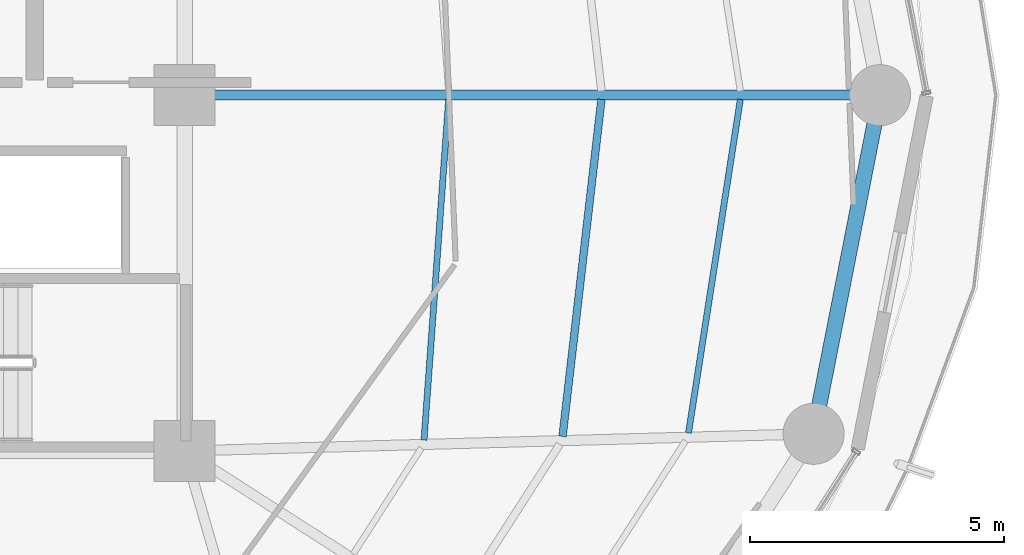
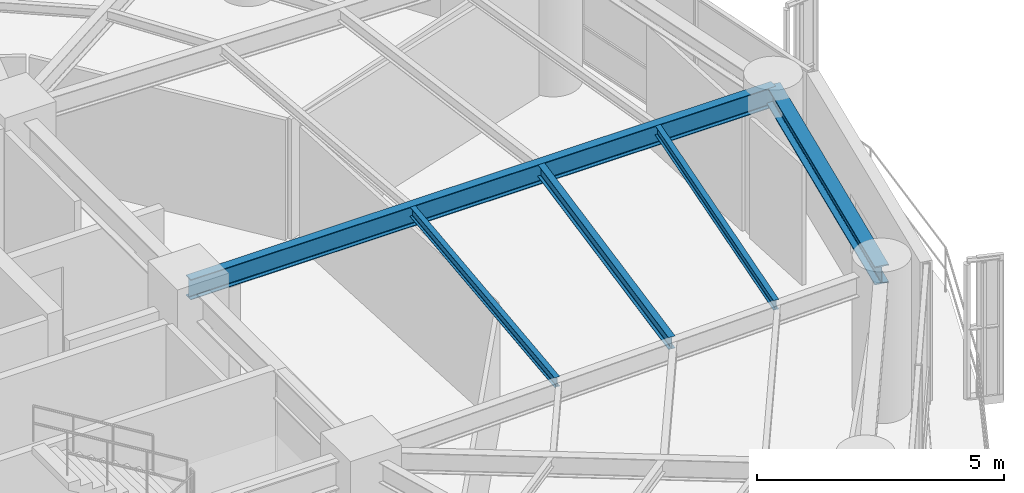
# One storey, part 12 of 28: 5 beams.
"""IFC4 building model written with IfcOpenShell, lengths in metres."""

from ifc_helpers import new_model, si_unit, direction, frame, origin, origin_2d, place, context, subcontext, project, spatial, i_section, extrude, material, material_profile, profile_set, type_object, element, save


model = new_model("IFC4")

# Units and contexts
model_context = context("Model", 3, precision=1e-05, world=origin(), true_north=direction((0.0, 1.0)))
body_context = subcontext(model_context, "Body", "Model", "MODEL_VIEW")
ifc_project = project(units=[si_unit("LENGTHUNIT", "METRE"), si_unit("AREAUNIT", "SQUARE_METRE"), si_unit("VOLUMEUNIT", "CUBIC_METRE"), si_unit("PLANEANGLEUNIT", "RADIAN"), si_unit("MASSUNIT", "GRAM", prefix="KILO")], contexts=[model_context])

# Site, building, storey
site_placement = place(None, origin())
site = spatial("IfcSite", under=ifc_project, at=site_placement, CompositionType="ELEMENT")
building_placement = place(site_placement, origin())
building = spatial("IfcBuilding", under=site, at=building_placement, Name="Kelanora Arch Commons", CompositionType="ELEMENT")
storey_placement = place(building_placement, frame((0.0, 0.0, 176.85009765625)))
storey = spatial("IfcBuildingStorey", under=building, at=storey_placement, Name="L45", CompositionType="ELEMENT", Elevation=176.85009765625)

# Beams
ifc_material = material(Name="Steel S355", Category="steel")
ifc_material_profile_1 = material_profile(ifc_material, i_section(OverallWidth=0.14990234375, OverallDepth=0.300048828125, WebThickness=0.007080078125, FlangeThickness=0.0107421875, FilletRadius=0.014892578125, at=origin_2d()), Name="IPE300")
ifc_profile_set_1 = profile_set([ifc_material_profile_1], Name="Steel S355")
beam_type_1 = type_object("IfcBeamType", Name="BM-JST-01", PredefinedType="JOIST", material=ifc_profile_set_1)
beam_1_placement = place(storey_placement, frame((89.43310546875, 51.286865234375, 3.33984375), z_axis=(0.114667159005, 0.9934039675, 0.0), x_axis=(-0.9934039675, 0.114667159005, 0.0)))
element("IfcBeam", 1, at=beam_1_placement, inside=storey, type_object=beam_type_1, Name="Secondary Chord Joist BJB-34 L45", PredefinedType="JOIST", context=body_context, shape_type="SweptSolid", body=[
    extrude(i_section(OverallWidth=0.14990234375, OverallDepth=0.300048828125, WebThickness=0.007080078125, FlangeThickness=0.0107421875, FilletRadius=0.014892578125, at=origin_2d()), origin(), (0.0, 0.0, 1.0), 6.672607421875),
])
ifc_material_profile_2 = material_profile(ifc_material, i_section(OverallWidth=0.1201171875, OverallDepth=0.239990234375, WebThickness=0.006103515625, FlangeThickness=0.009765625, FilletRadius=0.014892578125, at=origin_2d()), Name="IPE240")
ifc_profile_set_2 = profile_set([ifc_material_profile_2], Name="Steel S355")
beam_type_2 = type_object("IfcBeamType", Name="BM-JST-02", PredefinedType="JOIST", material=ifc_profile_set_2)
beam_2_placement = place(storey_placement, frame((86.707763671875, 51.212890625, 3.369873046875), z_axis=(0.072117123738, 0.997396170267, 0.0), x_axis=(-0.997396170267, 0.072117123738, 0.0)))
element("IfcBeam", 2, at=beam_2_placement, inside=storey, type_object=beam_type_2, Name="Secondary Chord Joist BJA-34 L45", PredefinedType="JOIST", context=body_context, shape_type="SweptSolid", body=[
    extrude(i_section(OverallWidth=0.1201171875, OverallDepth=0.239990234375, WebThickness=0.006103515625, FlangeThickness=0.009765625, FilletRadius=0.014892578125, at=origin_2d()), origin(), (0.0, 0.0, 1.0), 6.719970703125),
])
beam_3_placement = place(storey_placement, frame((91.9111328125, 51.35400390625, 3.369873046875), z_axis=(0.153562625853, 0.988138917329, 0.0), x_axis=(-0.988138917329, 0.153562625853, 0.0)))
element("IfcBeam", 3, at=beam_3_placement, inside=storey, type_object=beam_type_2, Name="Secondary Chord Joist BJC-34 L45", PredefinedType="JOIST", context=body_context, shape_type="SweptSolid", body=[
    extrude(i_section(OverallWidth=0.1201171875, OverallDepth=0.239990234375, WebThickness=0.006103515625, FlangeThickness=0.009765625, FilletRadius=0.014892578125, at=origin_2d()), origin(), (0.0, 0.0, 1.0), 6.640869140625),
])
ifc_material_profile_3 = material_profile(ifc_material, i_section(OverallWidth=0.199951171875, OverallDepth=0.5, WebThickness=0.01025390625, FlangeThickness=0.01611328125, FilletRadius=0.02099609375, at=origin_2d()), Name="IPE500")
ifc_profile_set_3 = profile_set([ifc_material_profile_3], Name="Steel S355")
beam_type_3 = type_object("IfcBeamType", Name="BM-RAD-Z3", PredefinedType="BEAM", material=ifc_profile_set_3)
beam_4_placement = place(storey_placement, frame((82.0, 58.0, 3.239990234375), z_axis=(1.0, 0.0, 0.0), x_axis=(0.0, 1.0, 0.0)))
element("IfcBeam", 4, at=beam_4_placement, inside=storey, type_object=beam_type_3, Name="Radial Floor Girder BR-00 L45", PredefinedType="BEAM", context=body_context, shape_type="SweptSolid", body=[
    extrude(i_section(OverallWidth=0.199951171875, OverallDepth=0.5, WebThickness=0.01025390625, FlangeThickness=0.01611328125, FilletRadius=0.02099609375, at=origin_2d()), origin(), (0.0, 0.0, 1.0), 13.679931640625),
])
ifc_material_profile_4 = material_profile(ifc_material, i_section(OverallWidth=0.300048828125, OverallDepth=0.449951171875, WebThickness=0.013916015625, FlangeThickness=0.02587890625, FilletRadius=0.027099609375, at=origin_2d()), Name="HEB450")
ifc_profile_set_4 = profile_set([ifc_material_profile_4], Name="Steel S355")
beam_type_4 = type_object("IfcBeamType", Name="BM-SPN-Z3", PredefinedType="SPANDREL", material=ifc_profile_set_4)
beam_5_placement = place(storey_placement, frame((94.37255859375, 51.33740234375, 3.264892578125), z_axis=(0.192553643556, 0.981286448675, 0.0), x_axis=(-0.981286448675, 0.192553643556, 0.0)))
element("IfcBeam", 5, at=beam_5_placement, inside=storey, type_object=beam_type_4, Name="Perimeter Spandrel Beam BS-34 L45", PredefinedType="SPANDREL", context=body_context, shape_type="SweptSolid", body=[
    extrude(i_section(OverallWidth=0.300048828125, OverallDepth=0.449951171875, WebThickness=0.013916015625, FlangeThickness=0.02587890625, FilletRadius=0.027099609375, at=origin_2d()), origin(), (0.0, 0.0, 1.0), 6.78955078125),
])

save(model, "model.ifc")
